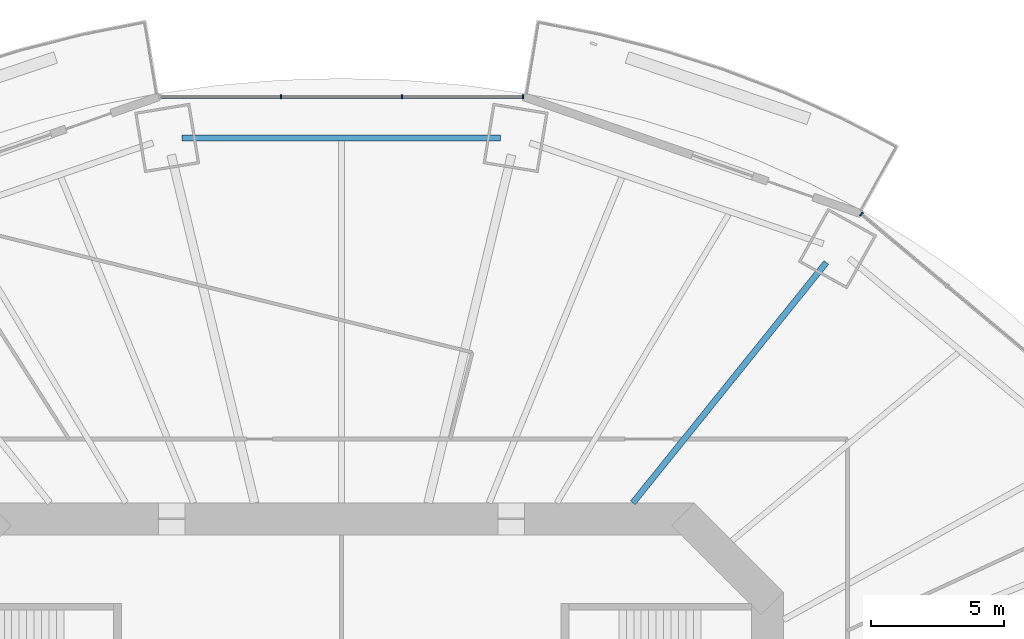
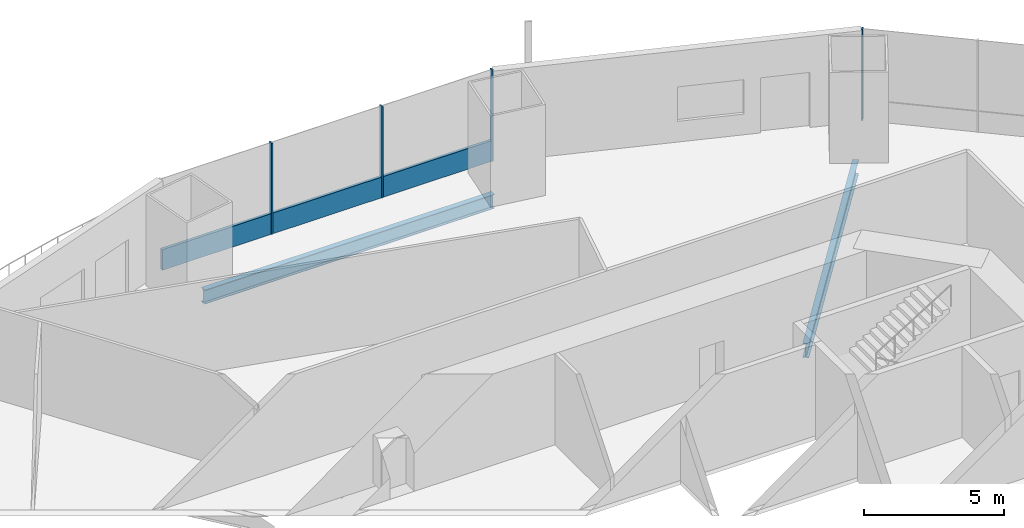
# One storey, part 9 of 22: 5 members, 2 beams, 2 elements without a shape of their own.
"""IFC4 building model written with IfcOpenShell, lengths in metres."""

from ifc_helpers import new_model, si_unit, direction, frame, origin, origin_2d, place, context, subcontext, project, spatial, rectangle, i_section, extrude, material, material_profile, profile_set, type_object, element, aggregate, save


model = new_model("IFC4")

# Units and contexts
model_context = context("Model", 3, precision=1e-05, world=origin(), true_north=direction((0.0, 1.0)))
body_context = subcontext(model_context, "Body", "Model", "MODEL_VIEW")
ifc_project = project(units=[si_unit("LENGTHUNIT", "METRE"), si_unit("AREAUNIT", "SQUARE_METRE"), si_unit("VOLUMEUNIT", "CUBIC_METRE"), si_unit("PLANEANGLEUNIT", "RADIAN"), si_unit("MASSUNIT", "GRAM", prefix="KILO")], contexts=[model_context])

# Site, building, storey
site_placement = place(None, origin())
site = spatial("IfcSite", under=ifc_project, at=site_placement, CompositionType="ELEMENT")
building_placement = place(site_placement, origin())
building = spatial("IfcBuilding", under=site, at=building_placement, Name="Marenthal Gate Tower", CompositionType="ELEMENT")
storey_placement = place(building_placement, frame((0.0, 0.0, 86.949951171875)))
storey = spatial("IfcBuildingStorey", under=building, at=storey_placement, Name="L17", CompositionType="ELEMENT", Elevation=86.949951171875)

# Curtain wall, member
ifc_material_1 = material(Name="Aluminium and glass", Category="aluminium")
curtain_wall_type = type_object("IfcCurtainWallType", Name="Curtain wall typical low", PredefinedType="NOTDEFINED", material=ifc_material_1)
curtain_wall_1_placement = place(storey_placement, origin())
curtain_wall_1 = element("IfcCurtainWall", 1, at=curtain_wall_1_placement, inside=storey, type_object=curtain_wall_type, Name="Curtain wall L17 bay 2", PredefinedType="NOTDEFINED")
ifc_material_2 = material(Name="Aluminium", Category="aluminium")
ifc_material_profile_1 = material_profile(ifc_material_2, rectangle(XDim=0.159912109375, YDim=0.06005859375, at=origin_2d()), Name="60x160 aluminium mullion")
ifc_profile_set_1 = profile_set([ifc_material_profile_1], Name="Aluminium")
member_type_1 = type_object("IfcMemberType", Name="Mullion 60x160 typical low", PredefinedType="MULLION", material=ifc_profile_set_1)
member_1_placement = place(storey_placement, frame((19.529541015625, 24.44091796875, 0.0), z_axis=(0.0, 0.0, 1.0), x_axis=(-0.642228281301, -0.766513427604, 0.0)))
member_1 = element("IfcMember", 2, at=member_1_placement, type_object=member_type_1, Name="Mullion L17 bay 2.4", PredefinedType="MULLION", context=body_context, shape_type="SweptSolid", body=[
    extrude(rectangle(XDim=0.159912109375, YDim=0.06005859375, at=origin_2d()), origin(), (0.0, 0.0, 1.0), 3.969970703125),
])
aggregate(curtain_wall_1, [member_1])

# Curtain wall, members
curtain_wall_2_placement = place(storey_placement, origin())
curtain_wall_2 = element("IfcCurtainWall", 3, at=curtain_wall_2_placement, inside=storey, type_object=curtain_wall_type, Name="Curtain wall L17 bay 4", PredefinedType="NOTDEFINED")
member_2_placement = place(storey_placement, frame((6.81982421875, 28.852783203125, 0.0), z_axis=(0.0, 0.0, 1.0), x_axis=(0.0, -1.0, 0.0)))
member_2 = element("IfcMember", 4, at=member_2_placement, type_object=member_type_1, Name="Mullion L17 bay 4.1", PredefinedType="MULLION", context=body_context, shape_type="SweptSolid", body=[
    extrude(rectangle(XDim=0.159912109375, YDim=0.06005859375, at=origin_2d()), origin(), (0.0, 0.0, 1.0), 3.969970703125),
])
member_3_placement = place(storey_placement, frame((2.273193359375, 28.852783203125, 0.0), z_axis=(0.0, 0.0, 1.0), x_axis=(0.0, -1.0, 0.0)))
member_3 = element("IfcMember", 5, at=member_3_placement, type_object=member_type_1, Name="Mullion L17 bay 4.2", PredefinedType="MULLION", context=body_context, shape_type="SweptSolid", body=[
    extrude(rectangle(XDim=0.159912109375, YDim=0.06005859375, at=origin_2d()), origin(), (0.0, 0.0, 1.0), 3.969970703125),
])
member_4_placement = place(storey_placement, frame((-2.273193359375, 28.852783203125, 0.0), z_axis=(0.0, 0.0, 1.0), x_axis=(0.0, -1.0, 0.0)))
member_4 = element("IfcMember", 6, at=member_4_placement, type_object=member_type_1, Name="Mullion L17 bay 4.3", PredefinedType="MULLION", context=body_context, shape_type="SweptSolid", body=[
    extrude(rectangle(XDim=0.159912109375, YDim=0.06005859375, at=origin_2d()), origin(), (0.0, 0.0, 1.0), 3.969970703125),
])
ifc_material_3 = material(Name="Aluminium", Category="aluminium")
ifc_material_profile_2 = material_profile(ifc_material_3, rectangle(XDim=0.1201171875, YDim=0.89990234375, at=origin_2d()), Name="120x900 aluminium transom")
ifc_profile_set_2 = profile_set([ifc_material_profile_2], Name="Aluminium")
member_type_2 = type_object("IfcMemberType", Name="Transom 120x900 typical low", PredefinedType="USERDEFINED", material=ifc_profile_set_2)
member_5_placement = place(storey_placement, frame((6.789794921875, 28.852783203125, 0.449951171875), z_axis=(-1.0, 0.0, 0.0), x_axis=(0.0, -1.0, 0.0)))
member_5 = element("IfcMember", 7, at=member_5_placement, type_object=member_type_2, Name="Transom L17 bay 4", ObjectType="TRANSOM", PredefinedType="USERDEFINED", context=body_context, shape_type="SweptSolid", body=[
    extrude(rectangle(XDim=0.1201171875, YDim=0.89990234375, at=origin_2d()), origin(), (0.0, 0.0, 1.0), 13.57958984375),
])
aggregate(curtain_wall_2, [member_2, member_3, member_4, member_5])

# Beams
ifc_material_4 = material(Name="Steel S355", Category="steel")
ifc_material_profile_3 = material_profile(ifc_material_4, i_section(OverallWidth=0.22900390625, OverallDepth=0.612060546875, WebThickness=0.011962890625, FlangeThickness=0.01953125, FilletRadius=0.0126953125, at=origin_2d()), Name="W610X125")
ifc_profile_set_3 = profile_set([ifc_material_profile_3], Name="Steel S355")
beam_type = type_object("IfcBeamType", Name="W610X125 beam", PredefinedType="BEAM", material=ifc_profile_set_3)
beam_1_placement = place(storey_placement, frame((18.210693359375, 22.626708984375, -0.48583984375), z_axis=(-0.626999737325, -0.779019466634, 0.0), x_axis=(0.779019466634, -0.626999737325, 0.0)))
element("IfcBeam", 8, at=beam_1_placement, inside=storey, type_object=beam_type, Name="BM-L17-03", PredefinedType="BEAM", context=body_context, shape_type="SweptSolid", body=[
    extrude(i_section(OverallWidth=0.22900390625, OverallDepth=0.612060546875, WebThickness=0.011962890625, FlangeThickness=0.01953125, FilletRadius=0.0126953125, at=origin_2d()), origin(), (0.0, 0.0, 1.0), 11.587158203125),
])
beam_2_placement = place(storey_placement, frame((5.977294921875, 27.302978515625, -0.48583984375), z_axis=(-1.0, 0.0, 0.0), x_axis=(0.0, -1.0, 0.0)))
element("IfcBeam", 9, at=beam_2_placement, inside=storey, type_object=beam_type, Name="BM-L17-44", PredefinedType="BEAM", context=body_context, shape_type="SweptSolid", body=[
    extrude(i_section(OverallWidth=0.22900390625, OverallDepth=0.612060546875, WebThickness=0.011962890625, FlangeThickness=0.01953125, FilletRadius=0.0126953125, at=origin_2d()), origin(), (0.0, 0.0, 1.0), 11.95458984375),
])

save(model, "model.ifc")
